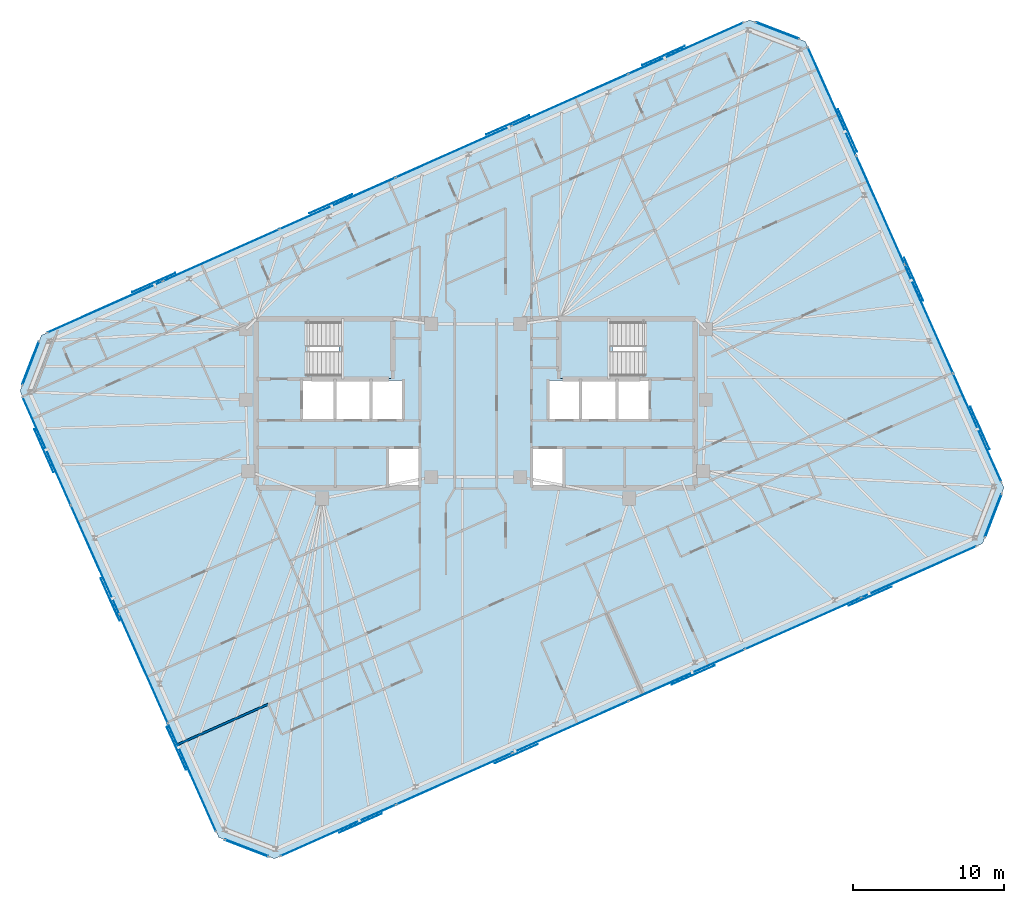
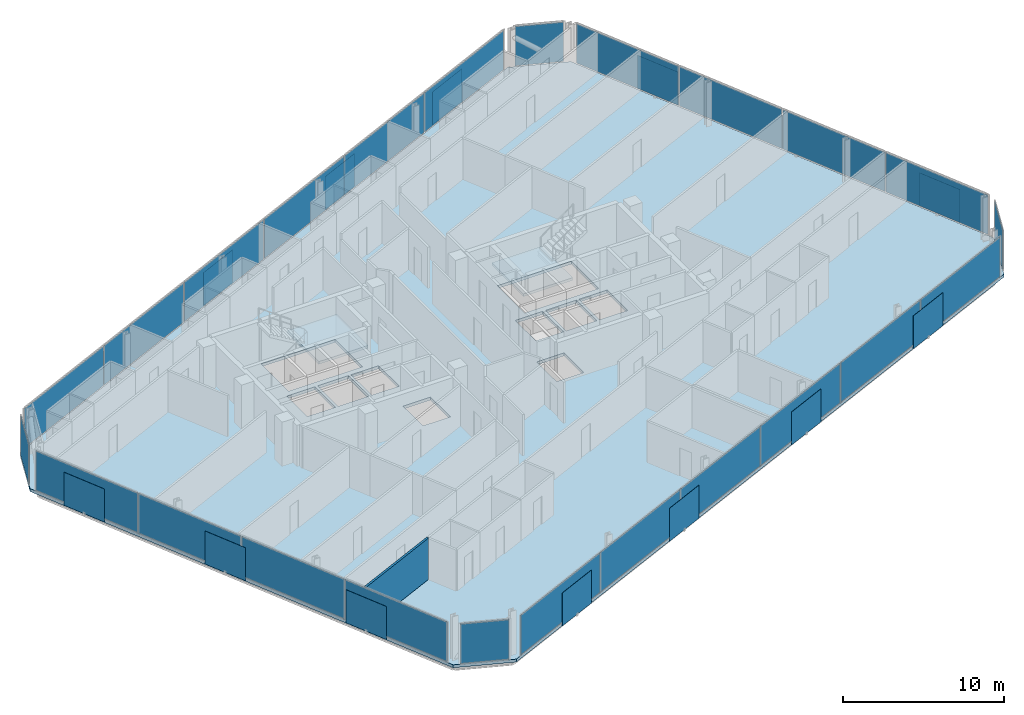
# One storey, part 12 of 19: 38 plates, 3 slabs, 1 wall, 10 elements without a shape of their own.
"""IFC4 building model written with IfcOpenShell, lengths in metres."""

from ifc_helpers import new_model, si_unit, direction, frame, frame_2d, origin, origin_2d, place, context, subcontext, project, spatial, polyline, rectangle, outline, extrude, material, layer, layer_set, type_object, element, aggregate, save


model = new_model("IFC4")

# Units and contexts
model_context = context("Model", 3, precision=1e-05, world=origin(), true_north=direction((0.0, 1.0)))
body_context = subcontext(model_context, "Body", "Model", "MODEL_VIEW")
ifc_project = project(units=[si_unit("LENGTHUNIT", "METRE"), si_unit("AREAUNIT", "SQUARE_METRE"), si_unit("VOLUMEUNIT", "CUBIC_METRE"), si_unit("PLANEANGLEUNIT", "RADIAN"), si_unit("MASSUNIT", "GRAM", prefix="KILO")], contexts=[model_context])

# Site, building, storey
site_placement = place(None, origin())
site = spatial("IfcSite", under=ifc_project, at=site_placement, CompositionType="ELEMENT")
building_placement = place(site_placement, origin())
building = spatial("IfcBuilding", under=site, at=building_placement, Name="Menara Jurai Vektor", CompositionType="ELEMENT")
storey_placement = place(building_placement, frame((0.0, 0.0, 291.949951171875)))
storey = spatial("IfcBuildingStorey", under=building, at=storey_placement, Name="L78", CompositionType="ELEMENT", Elevation=291.949951171875)

# Curtain wall, plates
ifc_material_1 = material(Name="Anodised Pale Aluminium & Low-E Double Glazing", Category="aluminium")
curtain_wall_type = type_object("IfcCurtainWallType", Name="CW-BLK5", PredefinedType="NOTDEFINED", material=ifc_material_1)
curtain_wall_1_placement = place(storey_placement, origin())
curtain_wall_1 = element("IfcCurtainWall", 1, at=curtain_wall_1_placement, inside=storey, type_object=curtain_wall_type, Name="Unitised Curtain Wall L78 F01", PredefinedType="NOTDEFINED")
ifc_material_2 = material(Name="Low-E Solar-Control Double Glazed Unit", Category="glass")
ifc_layer_1 = layer(ifc_material_2, 0.028076171875)
ifc_layer_set_1 = layer_set([ifc_layer_1], Name="Low-E Solar-Control Double Glazed Unit")
plate_type_1 = type_object("IfcPlateType", Name="CW-BLK5-PNL", PredefinedType="CURTAIN_PANEL", material=ifc_layer_set_1)
plate_1_placement = place(storey_placement, frame((-9.130615234375, -28.331787109375, 0.074951171875), z_axis=(0.0, 0.0, 1.0), x_axis=(0.913545967158, 0.406735498684, 0.0)))
plate_1 = element("IfcPlate", 2, at=plate_1_placement, type_object=plate_type_1, Name="CW-05 panel 1.1", PredefinedType="CURTAIN_PANEL", context=body_context, shape_type="SweptSolid", body=[
    extrude(rectangle(XDim=8.327392578125, YDim=0.028076171875, at=origin_2d()), origin(), (0.0, 0.0, 1.0), 2.97509765625),
])
plate_2_placement = place(storey_placement, frame((-1.4375, -24.90673828125, 0.074951171875), z_axis=(0.0, 0.0, 1.0), x_axis=(0.913545967158, 0.406735498684, 0.0)))
plate_2 = element("IfcPlate", 3, at=plate_2_placement, type_object=plate_type_1, Name="CW-05 panel 2.1", PredefinedType="CURTAIN_PANEL", context=body_context, shape_type="SweptSolid", body=[
    extrude(rectangle(XDim=8.364990234375, YDim=0.028076171875, at=origin_2d()), origin(), (0.0, 0.0, 1.0), 2.97509765625),
])
plate_3_placement = place(storey_placement, frame((6.27294921875, -21.473876953125, 0.074951171875), z_axis=(0.0, 0.0, 1.0), x_axis=(0.913545967158, 0.406735498684, 0.0)))
plate_3 = element("IfcPlate", 4, at=plate_3_placement, type_object=plate_type_1, Name="CW-05 panel 3.1", PredefinedType="CURTAIN_PANEL", context=body_context, shape_type="SweptSolid", body=[
    extrude(rectangle(XDim=8.364990234375, YDim=0.028076171875, at=origin_2d()), origin(), (0.0, 0.0, 1.0), 2.97509765625),
])
plate_4_placement = place(storey_placement, frame((13.983154296875, -18.041015625, 0.074951171875), z_axis=(0.0, 0.0, 1.0), x_axis=(0.913545967158, 0.406735498684, 0.0)))
plate_4 = element("IfcPlate", 5, at=plate_4_placement, type_object=plate_type_1, Name="CW-05 panel 4.1", PredefinedType="CURTAIN_PANEL", context=body_context, shape_type="SweptSolid", body=[
    extrude(rectangle(XDim=8.364990234375, YDim=0.028076171875, at=origin_2d()), origin(), (0.0, 0.0, 1.0), 2.97509765625),
])
plate_5_placement = place(storey_placement, frame((21.693603515625, -14.608154296875, 0.074951171875), z_axis=(0.0, 0.0, 1.0), x_axis=(0.913545967158, 0.406735498684, 0.0)))
plate_5 = element("IfcPlate", 6, at=plate_5_placement, type_object=plate_type_1, Name="CW-05 panel 5.1", PredefinedType="CURTAIN_PANEL", context=body_context, shape_type="SweptSolid", body=[
    extrude(rectangle(XDim=8.364990234375, YDim=0.028076171875, at=origin_2d()), origin(), (0.0, 0.0, 1.0), 2.97509765625),
])
plate_6_placement = place(storey_placement, frame((29.38671875, -11.182861328125, 0.074951171875), z_axis=(0.0, 0.0, 1.0), x_axis=(0.913545967158, 0.406735498684, 0.0)))
plate_6 = element("IfcPlate", 7, at=plate_6_placement, type_object=plate_type_1, Name="CW-05 panel 6.1", PredefinedType="CURTAIN_PANEL", context=body_context, shape_type="SweptSolid", body=[
    extrude(rectangle(XDim=8.327392578125, YDim=0.028076171875, at=origin_2d()), origin(), (0.0, 0.0, 1.0), 2.97509765625),
])
aggregate(curtain_wall_1, [plate_1, plate_2, plate_3, plate_4, plate_5, plate_6])

curtain_wall_2_placement = place(storey_placement, origin())
curtain_wall_2 = element("IfcCurtainWall", 8, at=curtain_wall_2_placement, inside=storey, type_object=curtain_wall_type, Name="Unitised Curtain Wall L78 F03", PredefinedType="NOTDEFINED")
plate_7_placement = place(storey_placement, frame((33.25439453125, -1.630126953125, 0.074951171875), z_axis=(0.0, 0.0, 1.0), x_axis=(-0.406735138086, 0.913546127706, 0.0)))
plate_7 = element("IfcPlate", 9, at=plate_7_placement, type_object=plate_type_1, Name="CW-05 panel 1.1", PredefinedType="CURTAIN_PANEL", context=body_context, shape_type="SweptSolid", body=[
    extrude(rectangle(XDim=7.797607421875, YDim=0.028076171875, at=origin_2d()), origin(), (0.0, 0.0, 1.0), 2.97509765625),
])
plate_8_placement = place(storey_placement, frame((30.044677734375, 5.578857421875, 0.074951171875), z_axis=(0.0, 0.0, 1.0), x_axis=(-0.406735138086, 0.913546127706, 0.0)))
plate_8 = element("IfcPlate", 10, at=plate_8_placement, type_object=plate_type_1, Name="CW-05 panel 2.1", PredefinedType="CURTAIN_PANEL", context=body_context, shape_type="SweptSolid", body=[
    extrude(rectangle(XDim=7.8349609375, YDim=0.028076171875, at=origin_2d()), origin(), (0.0, 0.0, 1.0), 2.97509765625),
])
plate_9_placement = place(storey_placement, frame((26.827392578125, 12.80517578125, 0.074951171875), z_axis=(0.0, 0.0, 1.0), x_axis=(-0.406735138086, 0.913546127706, 0.0)))
plate_9 = element("IfcPlate", 11, at=plate_9_placement, type_object=plate_type_1, Name="CW-05 panel 3.1", PredefinedType="CURTAIN_PANEL", context=body_context, shape_type="SweptSolid", body=[
    extrude(rectangle(XDim=7.8349609375, YDim=0.028076171875, at=origin_2d()), origin(), (0.0, 0.0, 1.0), 2.97509765625),
])
plate_10_placement = place(storey_placement, frame((23.61767578125, 20.01416015625, 0.074951171875), z_axis=(0.0, 0.0, 1.0), x_axis=(-0.406735138086, 0.913546127706, 0.0)))
plate_10 = element("IfcPlate", 12, at=plate_10_placement, type_object=plate_type_1, Name="CW-05 panel 4.1", PredefinedType="CURTAIN_PANEL", context=body_context, shape_type="SweptSolid", body=[
    extrude(rectangle(XDim=7.797607421875, YDim=0.028076171875, at=origin_2d()), origin(), (0.0, 0.0, 1.0), 2.97509765625),
])
aggregate(curtain_wall_2, [plate_7, plate_8, plate_9, plate_10])

curtain_wall_3_placement = place(storey_placement, origin())
curtain_wall_3 = element("IfcCurtainWall", 13, at=curtain_wall_3_placement, inside=storey, type_object=curtain_wall_type, Name="Unitised Curtain Wall L78 F05", PredefinedType="NOTDEFINED")
plate_11_placement = place(storey_placement, frame((13.9306640625, 23.53173828125, 0.074951171875), z_axis=(0.0, 0.0, 1.0), x_axis=(-0.913545967158, -0.406735498684, 0.0)))
plate_11 = element("IfcPlate", 14, at=plate_11_placement, type_object=plate_type_1, Name="CW-05 panel 1.1", PredefinedType="CURTAIN_PANEL", context=body_context, shape_type="SweptSolid", body=[
    extrude(rectangle(XDim=8.327392578125, YDim=0.028076171875, at=origin_2d()), origin(), (0.0, 0.0, 1.0), 2.97509765625),
])
plate_12_placement = place(storey_placement, frame((6.237548828125, 20.106689453125, 0.074951171875), z_axis=(0.0, 0.0, 1.0), x_axis=(-0.913545967158, -0.406735498684, 0.0)))
plate_12 = element("IfcPlate", 15, at=plate_12_placement, type_object=plate_type_1, Name="CW-05 panel 2.1", PredefinedType="CURTAIN_PANEL", context=body_context, shape_type="SweptSolid", body=[
    extrude(rectangle(XDim=8.364990234375, YDim=0.028076171875, at=origin_2d()), origin(), (0.0, 0.0, 1.0), 2.97509765625),
])
plate_13_placement = place(storey_placement, frame((-1.472900390625, 16.673828125, 0.074951171875), z_axis=(0.0, 0.0, 1.0), x_axis=(-0.913545967158, -0.406735498684, 0.0)))
plate_13 = element("IfcPlate", 16, at=plate_13_placement, type_object=plate_type_1, Name="CW-05 panel 3.1", PredefinedType="CURTAIN_PANEL", context=body_context, shape_type="SweptSolid", body=[
    extrude(rectangle(XDim=8.364990234375, YDim=0.028076171875, at=origin_2d()), origin(), (0.0, 0.0, 1.0), 2.97509765625),
])
plate_14_placement = place(storey_placement, frame((-9.18310546875, 13.240966796875, 0.074951171875), z_axis=(0.0, 0.0, 1.0), x_axis=(-0.913545967158, -0.406735498684, 0.0)))
plate_14 = element("IfcPlate", 17, at=plate_14_placement, type_object=plate_type_1, Name="CW-05 panel 4.1", PredefinedType="CURTAIN_PANEL", context=body_context, shape_type="SweptSolid", body=[
    extrude(rectangle(XDim=8.364990234375, YDim=0.028076171875, at=origin_2d()), origin(), (0.0, 0.0, 1.0), 2.97509765625),
])
plate_15_placement = place(storey_placement, frame((-16.8935546875, 9.80810546875, 0.074951171875), z_axis=(0.0, 0.0, 1.0), x_axis=(-0.913545967158, -0.406735498684, 0.0)))
plate_15 = element("IfcPlate", 18, at=plate_15_placement, type_object=plate_type_1, Name="CW-05 panel 5.1", PredefinedType="CURTAIN_PANEL", context=body_context, shape_type="SweptSolid", body=[
    extrude(rectangle(XDim=8.364990234375, YDim=0.028076171875, at=origin_2d()), origin(), (0.0, 0.0, 1.0), 2.97509765625),
])
plate_16_placement = place(storey_placement, frame((-24.586669921875, 6.3828125, 0.074951171875), z_axis=(0.0, 0.0, 1.0), x_axis=(-0.913545967158, -0.406735498684, 0.0)))
plate_16 = element("IfcPlate", 19, at=plate_16_placement, type_object=plate_type_1, Name="CW-05 panel 6.1", PredefinedType="CURTAIN_PANEL", context=body_context, shape_type="SweptSolid", body=[
    extrude(rectangle(XDim=8.327392578125, YDim=0.028076171875, at=origin_2d()), origin(), (0.0, 0.0, 1.0), 2.97509765625),
])
aggregate(curtain_wall_3, [plate_11, plate_12, plate_13, plate_14, plate_15, plate_16])

curtain_wall_4_placement = place(storey_placement, origin())
curtain_wall_4 = element("IfcCurtainWall", 20, at=curtain_wall_4_placement, inside=storey, type_object=curtain_wall_type, Name="Unitised Curtain Wall L78 F07", PredefinedType="NOTDEFINED")
plate_17_placement = place(storey_placement, frame((-28.454345703125, -3.169921875, 0.074951171875), z_axis=(0.0, 0.0, 1.0), x_axis=(0.406735138086, -0.913546127706, 0.0)))
plate_17 = element("IfcPlate", 21, at=plate_17_placement, type_object=plate_type_1, Name="CW-05 panel 1.1", PredefinedType="CURTAIN_PANEL", context=body_context, shape_type="SweptSolid", body=[
    extrude(rectangle(XDim=7.797607421875, YDim=0.028076171875, at=origin_2d()), origin(), (0.0, 0.0, 1.0), 2.97509765625),
])
plate_18_placement = place(storey_placement, frame((-25.24462890625, -10.37890625, 0.074951171875), z_axis=(0.0, 0.0, 1.0), x_axis=(0.406735138086, -0.913546127706, 0.0)))
plate_18 = element("IfcPlate", 22, at=plate_18_placement, type_object=plate_type_1, Name="CW-05 panel 2.1", PredefinedType="CURTAIN_PANEL", context=body_context, shape_type="SweptSolid", body=[
    extrude(rectangle(XDim=7.8349609375, YDim=0.028076171875, at=origin_2d()), origin(), (0.0, 0.0, 1.0), 2.97509765625),
])
plate_19_placement = place(storey_placement, frame((-22.02734375, -17.60498046875, 0.074951171875), z_axis=(0.0, 0.0, 1.0), x_axis=(0.406735138086, -0.913546127706, 0.0)))
plate_19 = element("IfcPlate", 23, at=plate_19_placement, type_object=plate_type_1, Name="CW-05 panel 3.1", PredefinedType="CURTAIN_PANEL", context=body_context, shape_type="SweptSolid", body=[
    extrude(rectangle(XDim=7.8349609375, YDim=0.028076171875, at=origin_2d()), origin(), (0.0, 0.0, 1.0), 2.97509765625),
])
plate_20_placement = place(storey_placement, frame((-18.81787109375, -24.814208984375, 0.074951171875), z_axis=(0.0, 0.0, 1.0), x_axis=(0.406735138086, -0.913546127706, 0.0)))
plate_20 = element("IfcPlate", 24, at=plate_20_placement, type_object=plate_type_1, Name="CW-05 panel 4.1", PredefinedType="CURTAIN_PANEL", context=body_context, shape_type="SweptSolid", body=[
    extrude(rectangle(XDim=7.797607421875, YDim=0.028076171875, at=origin_2d()), origin(), (0.0, 0.0, 1.0), 2.97509765625),
])
aggregate(curtain_wall_4, [plate_17, plate_18, plate_19, plate_20])

# Curtain wall, plate
curtain_wall_5_placement = place(storey_placement, origin())
curtain_wall_5 = element("IfcCurtainWall", 25, at=curtain_wall_5_placement, inside=storey, type_object=curtain_wall_type, Name="Unitised Curtain Wall L78 F02", PredefinedType="NOTDEFINED")
ifc_material_3 = material(Name="Insulated Pale Aluminium Spandrel Panel", Category="aluminium")
ifc_layer_2 = layer(ifc_material_3, 0.06005859375)
ifc_layer_set_2 = layer_set([ifc_layer_2], Name="Insulated Pale Aluminium Spandrel Panel")
plate_type_2 = type_object("IfcPlateType", Name="CW-PNL-SP", PredefinedType="CURTAIN_PANEL", material=ifc_layer_set_2)
plate_21_placement = place(storey_placement, frame((34.315673828125, -7.455810546875, 0.074951171875), z_axis=(0.0, 0.0, 1.0), x_axis=(0.358373766287, 0.933578193639, 0.0)))
plate_21 = element("IfcPlate", 26, at=plate_21_placement, type_object=plate_type_2, Name="CW-05 panel 1.1", PredefinedType="CURTAIN_PANEL", context=body_context, shape_type="SweptSolid", body=[
    extrude(rectangle(XDim=3.0498046875, YDim=0.06005859375, at=origin_2d()), origin(), (0.0, 0.0, 1.0), 2.97509765625),
])
aggregate(curtain_wall_5, [plate_21])

curtain_wall_6_placement = place(storey_placement, origin())
curtain_wall_6 = element("IfcCurtainWall", 27, at=curtain_wall_6_placement, inside=storey, type_object=curtain_wall_type, Name="Unitised Curtain Wall L78 F04", PredefinedType="NOTDEFINED")
plate_22_placement = place(storey_placement, frame((19.99853515625, 24.700927734375, 0.074951171875), z_axis=(0.0, 0.0, 1.0), x_axis=(-0.933578193639, 0.358373766287, 0.0)))
plate_22 = element("IfcPlate", 28, at=plate_22_placement, type_object=plate_type_2, Name="CW-05 panel 1.1", PredefinedType="CURTAIN_PANEL", context=body_context, shape_type="SweptSolid", body=[
    extrude(rectangle(XDim=3.0498046875, YDim=0.06005859375, at=origin_2d()), origin(), (0.0, 0.0, 1.0), 2.97509765625),
])
aggregate(curtain_wall_6, [plate_22])

curtain_wall_7_placement = place(storey_placement, origin())
curtain_wall_7 = element("IfcCurtainWall", 29, at=curtain_wall_7_placement, inside=storey, type_object=curtain_wall_type, Name="Unitised Curtain Wall L78 F06", PredefinedType="NOTDEFINED")
plate_23_placement = place(storey_placement, frame((-29.515625, 2.65576171875, 0.074951171875), z_axis=(0.0, 0.0, 1.0), x_axis=(-0.358373766287, -0.933578193639, 0.0)))
plate_23 = element("IfcPlate", 30, at=plate_23_placement, type_object=plate_type_2, Name="CW-05 panel 1.1", PredefinedType="CURTAIN_PANEL", context=body_context, shape_type="SweptSolid", body=[
    extrude(rectangle(XDim=3.0498046875, YDim=0.06005859375, at=origin_2d()), origin(), (0.0, 0.0, 1.0), 2.97509765625),
])
aggregate(curtain_wall_7, [plate_23])

curtain_wall_8_placement = place(storey_placement, origin())
curtain_wall_8 = element("IfcCurtainWall", 31, at=curtain_wall_8_placement, inside=storey, type_object=curtain_wall_type, Name="Unitised Curtain Wall L78 F08", PredefinedType="NOTDEFINED")
plate_24_placement = place(storey_placement, frame((-15.198486328125, -29.5009765625, 0.074951171875), z_axis=(0.0, 0.0, 1.0), x_axis=(0.933578193639, -0.358373766287, 0.0)))
plate_24 = element("IfcPlate", 32, at=plate_24_placement, type_object=plate_type_2, Name="CW-05 panel 1.1", PredefinedType="CURTAIN_PANEL", context=body_context, shape_type="SweptSolid", body=[
    extrude(rectangle(XDim=3.0498046875, YDim=0.06005859375, at=origin_2d()), origin(), (0.0, 0.0, 1.0), 2.97509765625),
])
aggregate(curtain_wall_8, [plate_24])

# Plates
ifc_material_4 = material(Name="Anodised Pale Aluminium Perforated Screen", Category="aluminium")
ifc_layer_3 = layer(ifc_material_4, 0.02197265625)
ifc_layer_set_3 = layer_set([ifc_layer_3], Name="Anodised Pale Aluminium Perforated Screen")
plate_type_3 = type_object("IfcPlateType", Name="ENV-PLT-SCREEN-HI", PredefinedType="USERDEFINED", material=ifc_layer_set_3)
for number, where, z_axis, x_axis, name in (
    (33, (-7.650390625, -27.847900390625, -0.050048828125), (0.0, 0.0, 1.0), (0.913545457643, 0.406736643076, 0.0), "Perforated Pale-Metal Solar Screen L78-S01"),
    (34, (2.68017578125, -23.24853515625, -0.050048828125), (0.0, 0.0, 1.0), (0.913545457643, 0.406736643076, 0.0), "Perforated Pale-Metal Solar Screen L78-S02"),
    (35, (14.419189453125, -18.02197265625, -0.050048828125), (0.0, 0.0, 1.0), (0.913545457643, 0.406736643076, 0.0), "Perforated Pale-Metal Solar Screen L78-S03"),
    (36, (26.158203125, -12.79541015625, -0.050048828125), (0.0, 0.0, 1.0), (0.913545457643, 0.406736643076, 0.0), "Perforated Pale-Metal Solar Screen L78-S04"),
    (37, (33.436279296875, -1.64501953125, -0.050048828125), (0.0, 0.0, 1.0), (-0.406736643076, 0.913545457643, 0.0), "Perforated Pale-Metal Solar Screen L78-S05"),
    (38, (29.04345703125, 8.22119140625, -0.050048828125), (0.0, 0.0, 1.0), (-0.406736643076, 0.913545457643, 0.0), "Perforated Pale-Metal Solar Screen L78-S06"),
    (39, (24.650634765625, 18.08740234375, -0.050048828125), (0.0, 0.0, 1.0), (-0.406736643076, 0.913545457643, 0.0), "Perforated Pale-Metal Solar Screen L78-S07"),
    (40, (12.4501953125, 23.0478515625, -0.050048828125), (0.0, 0.0, 1.0), (-0.913545457643, -0.406736643076, 0.0), "Perforated Pale-Metal Solar Screen L78-S08"),
    (41, (2.119873046875, 18.448486328125, -0.050048828125), (0.0, 0.0, 1.0), (-0.913545457643, -0.406736643076, 0.0), "Perforated Pale-Metal Solar Screen L78-S09"),
    (42, (-9.619140625, 13.221923828125, -0.050048828125), (0.0, 0.0, 1.0), (-0.913545457643, -0.406736643076, 0.0), "Perforated Pale-Metal Solar Screen L78-S10"),
    (43, (-21.358154296875, 7.995361328125, -0.050048828125), (0.0, 0.0, 1.0), (-0.913545457643, -0.406736643076, 0.0), "Perforated Pale-Metal Solar Screen L78-S11"),
    (44, (-28.63623046875, -3.15478515625, -0.050048828125), (0.0, 0.0, 1.0), (0.406736643076, -0.913545457643, 0.0), "Perforated Pale-Metal Solar Screen L78-S12"),
    (45, (-24.243408203125, -13.02099609375, -0.050048828125), (0.0, 0.0, 1.0), (0.406736643076, -0.913545457643, 0.0), "Perforated Pale-Metal Solar Screen L78-S13"),
    (46, (-19.8505859375, -22.887451171875, -0.050048828125), (0.0, 0.0, 1.0), (0.406736643076, -0.913545457643, 0.0), "Perforated Pale-Metal Solar Screen L78-S14"),
):
    element("IfcPlate", number, at=place(storey_placement, frame(where, z_axis=z_axis, x_axis=x_axis)), inside=storey, type_object=plate_type_3, Name=name, ObjectType="SCREEN", PredefinedType="USERDEFINED", context=body_context, shape_type="SweptSolid", body=[
        extrude(rectangle(XDim=3.10009765625, YDim=0.02197265625, at=origin_2d()), origin(), (0.0, 0.0, 1.0), 2.5),
    ])

# Stair, slab
ifc_material_5 = material(Name="Concrete C40/50", Category="concrete")
stair_type = type_object("IfcStairType", Name="STAIR-DOGLEG-1500", PredefinedType="HALF_TURN_STAIR", material=ifc_material_5)
stair_1_placement = place(storey_placement, origin())
stair_1 = element("IfcStair", 47, at=stair_1_placement, inside=storey, type_object=stair_type, Name="Protected Exit Stair ST1 L78", PredefinedType="HALF_TURN_STAIR")
ifc_layer_4 = layer(ifc_material_5, 0.199951171875)
ifc_layer_set_4 = layer_set([ifc_layer_4], Name="Concrete C40/50")
slab_type_1 = type_object("IfcSlabType", Name="STAIR-LANDING-200", PredefinedType="LANDING", material=ifc_layer_set_4)
slab_1_placement = place(storey_placement, frame((0.0, 0.0, 1.47509765625)))
slab_1 = element("IfcSlab", 48, at=slab_1_placement, type_object=slab_type_1, Name="ST1 landing 1", PredefinedType="LANDING", context=body_context, shape_type="SweptSolid", body=[
    extrude(outline(polyline([(-9.080078125, 1.64990234375), (-5.550048828125, 1.64990234375), (-5.550048828125, 5.550048828125), (-9.080078125, 5.550048828125), (-9.080078125, 1.64990234375)])), origin(), (0.0, 0.0, 1.0), 0.199951171875),
])
aggregate(stair_1, [slab_1])

stair_2_placement = place(storey_placement, origin())
stair_2 = element("IfcStair", 49, at=stair_2_placement, inside=storey, type_object=stair_type, Name="Protected Exit Stair ST2 L78", PredefinedType="HALF_TURN_STAIR")
slab_2_placement = place(storey_placement, frame((0.0, 0.0, 1.47509765625)))
slab_2 = element("IfcSlab", 50, at=slab_2_placement, type_object=slab_type_1, Name="ST2 landing 1", PredefinedType="LANDING", context=body_context, shape_type="SweptSolid", body=[
    extrude(outline(polyline([(5.550048828125, 1.64990234375), (9.080078125, 1.64990234375), (9.080078125, 5.550048828125), (5.550048828125, 5.550048828125), (5.550048828125, 1.64990234375)])), origin(), (0.0, 0.0, 1.0), 0.199951171875),
])
aggregate(stair_2, [slab_2])

# Slab
ifc_layer_5 = layer(ifc_material_5, 0.22509765625)
ifc_layer_set_5 = layer_set([ifc_layer_5], Name="Concrete C40/50")
slab_type_2 = type_object("IfcSlabType", Name="STR-SLAB-TYP200", PredefinedType="FLOOR", material=ifc_layer_set_5)
slab_3_placement = place(storey_placement, frame((0.0, 0.0, -0.224853515625)))
element("IfcSlab", 51, at=slab_3_placement, inside=storey, type_object=slab_type_2, Name="Composite Floor Slab L78", PredefinedType="FLOOR", context=body_context, shape_type="SweptSolid", body=[
    extrude(outline(polyline([(-13.35009765625, -30.21044921875), (33.606201171875, -9.30419921875), (35.025146484375, -5.607421875), (21.846923828125, 23.991455078125), (18.150146484375, 25.410400390625), (-28.80615234375, 4.504150390625), (-30.22509765625, 0.807373046875), (-17.046875, -28.79150390625), (-13.35009765625, -30.21044921875)]), holes=[polyline([(-11.10009765625, 1.89990234375), (-11.10009765625, 5.300048828125), (-5.800048828125, 5.300048828125), (-5.800048828125, 1.89990234375), (-11.10009765625, 1.89990234375)]), polyline([(5.800048828125, 1.89990234375), (5.800048828125, 5.300048828125), (11.10009765625, 5.300048828125), (11.10009765625, 1.89990234375), (5.800048828125, 1.89990234375)]), polyline([(-11.449951171875, -1.050048828125), (-11.449951171875, 1.5), (-9.449951171875, 1.5), (-9.449951171875, -1.050048828125), (-11.449951171875, -1.050048828125)]), polyline([(9.449951171875, -1.050048828125), (9.449951171875, 1.5), (11.449951171875, 1.5), (11.449951171875, -1.050048828125), (9.449951171875, -1.050048828125)]), polyline([(-5.760009765625, -5.5), (-5.760009765625, -3.050048828125), (-3.800048828125, -3.050048828125), (-3.800048828125, -5.5), (-5.760009765625, -5.5)]), polyline([(-6.85009765625, -1.050048828125), (-6.85009765625, 1.5), (-4.889892578125, 1.5), (-4.889892578125, -1.050048828125), (-6.85009765625, -1.050048828125)]), polyline([(3.800048828125, -5.5), (3.800048828125, -3.050048828125), (5.760009765625, -3.050048828125), (5.760009765625, -5.5), (3.800048828125, -5.5)]), polyline([(4.889892578125, -1.050048828125), (4.889892578125, 1.5), (6.85009765625, 1.5), (6.85009765625, -1.050048828125), (4.889892578125, -1.050048828125)]), polyline([(-9.25, -1.050048828125), (-9.25, 1.5), (-7.050048828125, 1.5), (-7.050048828125, -1.050048828125), (-9.25, -1.050048828125)]), polyline([(7.050048828125, -1.050048828125), (7.050048828125, 1.5), (9.25, 1.5), (9.25, -1.050048828125), (7.050048828125, -1.050048828125)])]), origin(), (0.0, 0.0, 1.0), 0.224853515625),
])

# Wall
ifc_material_6 = material(Name="Gypsum Fireboard Partition", Category="gypsum")
ifc_layer_6 = layer(ifc_material_6, 0.14990234375)
ifc_layer_set_6 = layer_set([ifc_layer_6], Name="Gypsum Fireboard Partition")
wall_type = type_object("IfcWallType", Name="INT-WALL-CORR-150", PredefinedType="PARTITIONING", material=ifc_layer_set_6)
wall_placement = place(storey_placement, frame((-19.786376953125, -22.638671875, 0.0), z_axis=(0.0, 0.0, 1.0), x_axis=(0.913548717067, 0.406729322211, 0.0)))
element("IfcWall", 52, at=wall_placement, inside=storey, type_object=wall_type, Name="Interior Wall IW-150 L78", PredefinedType="PARTITIONING", context=body_context, shape_type="SweptSolid", body=[
    extrude(rectangle(XDim=6.59326171875, YDim=0.14990234375, at=frame_2d((3.296630859375, 0.0))), origin(), (0.0, 0.0, 1.0), 3.125),
])

save(model, "model.ifc")
